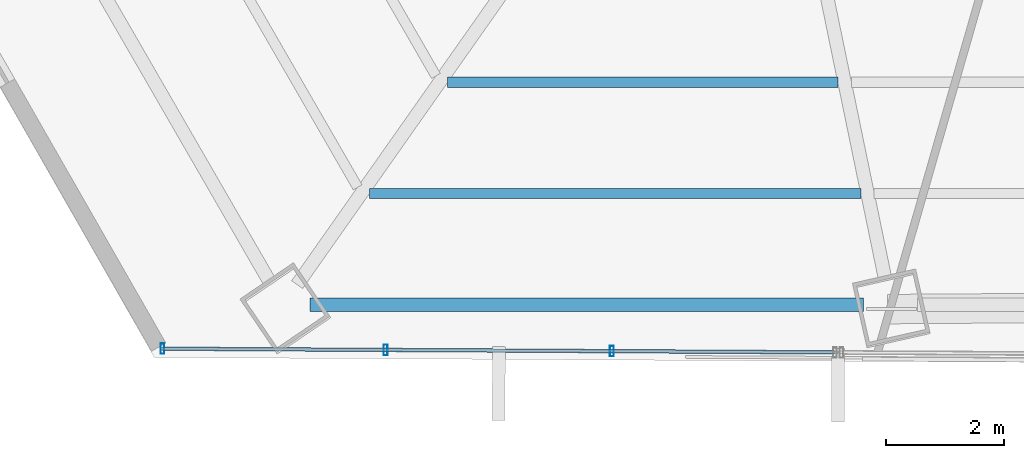
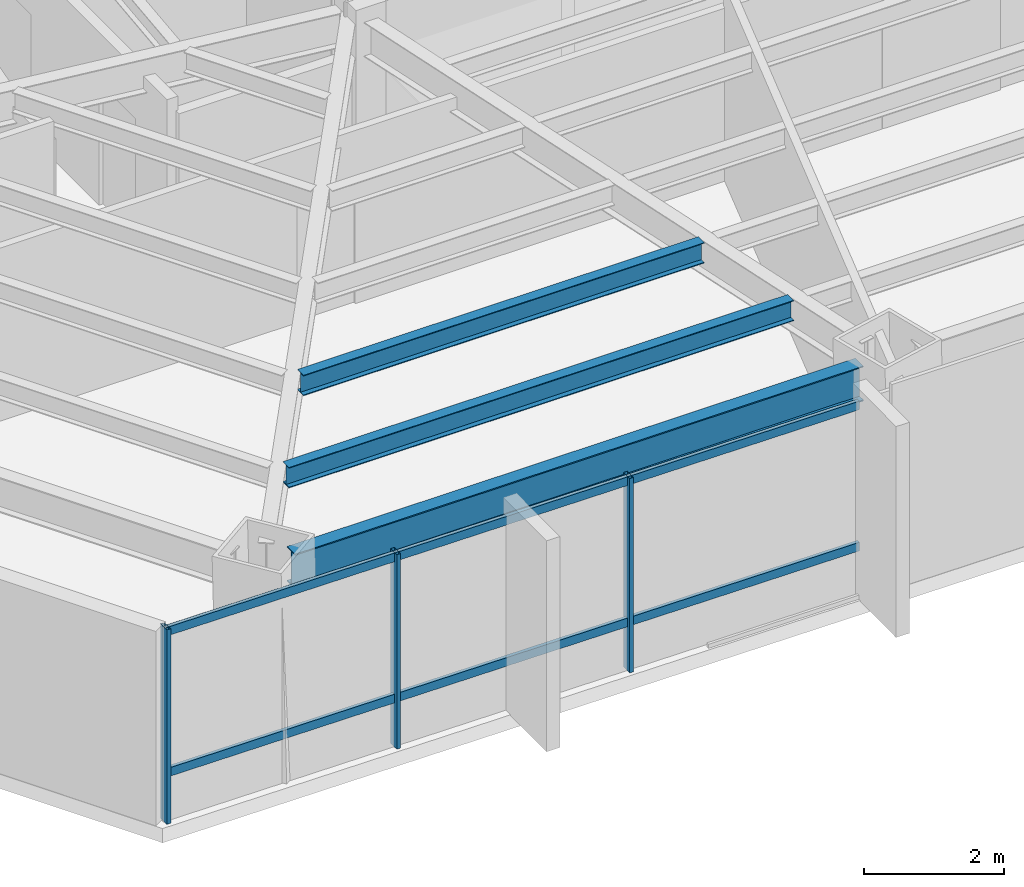
# One storey, part 4 of 35: 5 members, 3 beams, 1 element without a shape of its own.
"""IFC4 building model written with IfcOpenShell, lengths in metres."""

from ifc_helpers import new_model, si_unit, direction, frame, origin, origin_2d, place, context, subcontext, project, spatial, hollow_rectangle, i_section, extrude, source, transform, mapped, material, material_profile, profile_set, type_object, type_shapes, element, aggregate, save


model = new_model("IFC4")

# Units and contexts
model_context = context("Model", 3, precision=1e-05, world=origin(), true_north=direction((0.0, 1.0)))
body_context = subcontext(model_context, "Body", "Model", "MODEL_VIEW")
ifc_project = project(units=[si_unit("LENGTHUNIT", "METRE"), si_unit("AREAUNIT", "SQUARE_METRE"), si_unit("VOLUMEUNIT", "CUBIC_METRE"), si_unit("PLANEANGLEUNIT", "RADIAN"), si_unit("MASSUNIT", "GRAM", prefix="KILO")], contexts=[model_context])

# Site, building, storey
site_placement = place(None, origin())
site = spatial("IfcSite", under=ifc_project, at=site_placement, CompositionType="ELEMENT")
building_placement = place(site_placement, origin())
building = spatial("IfcBuilding", under=site, at=building_placement, Name="Caelisora Broadcast Tower", CompositionType="ELEMENT")
storey_placement = place(building_placement, frame((0.0, 0.0, 87.14990234375)))
storey = spatial("IfcBuildingStorey", under=building, at=storey_placement, Name="L22", CompositionType="ELEMENT", Elevation=87.14990234375)

# Beams
ifc_material_1 = material(Name="Steel Grade 350 (AS/NZS 3679.1)", Category="steel")
ifc_material_profile_1 = material_profile(ifc_material_1, i_section(OverallWidth=0.22900390625, OverallDepth=0.611572265625, WebThickness=0.011962890625, FlangeThickness=0.01953125, at=origin_2d()), Name="Steel Grade 350 (AS/NZS 3679.1)")
ifc_profile_set_1 = profile_set([ifc_material_profile_1], Name="Steel Grade 350 (AS/NZS 3679.1)")
beam_type_1 = type_object("IfcBeamType", Name="PG03", PredefinedType="BEAM", material=ifc_profile_set_1)
shared_shape_1 = source(origin(), body_context, "Body", "SweptSolid", [
    extrude(i_section(OverallWidth=0.22900390625, OverallDepth=0.611572265625, WebThickness=0.011962890625, FlangeThickness=0.01953125, at=origin_2d()), origin(), (0.0, 0.0, 1.0), 9.40234375),
])
type_shapes(beam_type_1, [shared_shape_1])
beam_1_placement = place(storey_placement, frame((22.9765625, 6.0517578125, 3.09423828125), z_axis=(1.0, 0.0, 0.0), x_axis=(0.0, 1.0, 0.0)))
element("IfcBeam", 1, at=beam_1_placement, inside=storey, type_object=beam_type_1, Name="L22 beam PG03", PredefinedType="BEAM", context=body_context, shape_type="MappedRepresentation", body=[
    mapped(shared_shape_1, transform((0.0, 0.0, 0.0), scale=1.0)),
])
ifc_material_profile_2 = material_profile(ifc_material_1, i_section(OverallWidth=0.172119140625, OverallDepth=0.358642578125, WebThickness=0.008056640625, FlangeThickness=0.012939453125, at=origin_2d()), Name="Steel Grade 350 (AS/NZS 3679.1)")
ifc_profile_set_2 = profile_set([ifc_material_profile_2], Name="Steel Grade 350 (AS/NZS 3679.1)")
beam_type_2 = type_object("IfcBeamType", Name="SB02", PredefinedType="JOIST", material=ifc_profile_set_2)
shared_shape_2 = source(origin(), body_context, "Body", "SweptSolid", [
    extrude(i_section(OverallWidth=0.172119140625, OverallDepth=0.358642578125, WebThickness=0.008056640625, FlangeThickness=0.012939453125, at=origin_2d()), origin(), (0.0, 0.0, 1.0), 6.631591796875),
])
beam_2_placement = place(storey_placement, frame((25.314208984375, 9.83447265625, 3.220703125), z_axis=(1.0, 0.0, 0.0), x_axis=(0.0, 1.0, 0.0)))
element("IfcBeam", 2, at=beam_2_placement, inside=storey, type_object=beam_type_2, Name="L22 beam SB02", PredefinedType="JOIST", context=body_context, shape_type="MappedRepresentation", body=[
    mapped(shared_shape_2, transform((0.0, 0.0, 0.0), scale=1.0)),
])
shared_shape_3 = source(origin(), body_context, "Body", "SweptSolid", [
    extrude(i_section(OverallWidth=0.172119140625, OverallDepth=0.358642578125, WebThickness=0.008056640625, FlangeThickness=0.012939453125, at=origin_2d()), origin(), (0.0, 0.0, 1.0), 8.352294921875),
])
type_shapes(beam_type_2, [shared_shape_2, shared_shape_3])
beam_3_placement = place(storey_placement, frame((23.9833984375, 7.943115234375, 3.220703125), z_axis=(1.0, 0.0, 0.0), x_axis=(0.0, 1.0, 0.0)))
element("IfcBeam", 3, at=beam_3_placement, inside=storey, type_object=beam_type_2, Name="L22 beam SB02", PredefinedType="JOIST", context=body_context, shape_type="MappedRepresentation", body=[
    mapped(shared_shape_3, transform((0.0, 0.0, 0.0), scale=1.0)),
])

# Curtain wall, members
ifc_material_2 = material(Name="Unitised Aluminium and Low-E Glass Curtain Wall", Category="glass")
curtain_wall_type = type_object("IfcCurtainWallType", Name="CW-Z2", PredefinedType="NOTDEFINED", material=ifc_material_2)
curtain_wall_placement = place(storey_placement, origin())
curtain_wall = element("IfcCurtainWall", 4, at=curtain_wall_placement, inside=storey, type_object=curtain_wall_type, Name="L22 curtain wall CW-Z2", PredefinedType="NOTDEFINED")
ifc_material_3 = material(Name="Aluminium 6063-T6 Anodised Terracotta Bronze", Category="aluminium")
ifc_material_profile_3 = material_profile(ifc_material_3, hollow_rectangle(XDim=0.06494140625, YDim=0.179931640625, WallThickness=0.00341796875, at=origin_2d()), Name="Aluminium 6063-T6 Anodised Terracotta Bronze")
ifc_profile_set_3 = profile_set([ifc_material_profile_3], Name="Aluminium 6063-T6 Anodised Terracotta Bronze")
member_type_1 = type_object("IfcMemberType", Name="CWM-02", PredefinedType="MULLION", material=ifc_profile_set_3)
shared_shape_4 = source(origin(), body_context, "Body", "SweptSolid", [
    extrude(hollow_rectangle(XDim=0.06494140625, YDim=0.179931640625, WallThickness=0.00341796875, at=origin_2d()), origin(), (0.0, 0.0, 1.0), 3.400146484375),
])
type_shapes(member_type_1, [shared_shape_4])
member_1_placement = place(storey_placement, frame((28.10400390625, 5.2646484375, 0.0), z_axis=(0.0, 0.0, 1.0), x_axis=(1.0, 0.0, 0.0)))
member_1 = element("IfcMember", 5, at=member_1_placement, type_object=member_type_1, Name="L22-CW-B07 mullion #1", PredefinedType="MULLION", context=body_context, shape_type="MappedRepresentation", body=[
    mapped(shared_shape_4, transform((0.0, 0.0, 0.0), scale=1.0)),
])
member_2_placement = place(storey_placement, frame((24.261962890625, 5.285888671875, 0.0), z_axis=(0.0, 0.0, 1.0), x_axis=(1.0, 0.0, 0.0)))
member_2 = element("IfcMember", 6, at=member_2_placement, type_object=member_type_1, Name="L22-CW-B07 mullion #2", PredefinedType="MULLION", context=body_context, shape_type="MappedRepresentation", body=[
    mapped(shared_shape_4, transform((0.0, 0.0, 0.0), scale=1.0)),
])
member_3_placement = place(storey_placement, frame((20.469970703125, 5.306640625, 0.0), z_axis=(0.0, 0.0, 1.0), x_axis=(1.0, 0.0, 0.0)))
member_3 = element("IfcMember", 7, at=member_3_placement, type_object=member_type_1, Name="L22-CW-B07 mullion #3", PredefinedType="MULLION", context=body_context, shape_type="MappedRepresentation", body=[
    mapped(shared_shape_4, transform((0.0, 0.0, 0.0), scale=1.0)),
])
ifc_material_profile_4 = material_profile(ifc_material_3, hollow_rectangle(XDim=0.06005859375, YDim=0.14990234375, WallThickness=0.00341796875, at=origin_2d()), Name="Aluminium 6063-T6 Anodised Terracotta Bronze")
ifc_profile_set_4 = profile_set([ifc_material_profile_4], Name="Aluminium 6063-T6 Anodised Terracotta Bronze")
member_type_2 = type_object("IfcMemberType", Name="CWT-02", PredefinedType="USERDEFINED", material=ifc_profile_set_4)
shared_shape_5 = source(origin(), body_context, "Body", "SweptSolid", [
    extrude(hollow_rectangle(XDim=0.06005859375, YDim=0.14990234375, WallThickness=0.00341796875, at=origin_2d()), origin(), (0.0, 0.0, 1.0), 11.42626953125),
])
type_shapes(member_type_2, [shared_shape_5])
member_4_placement = place(storey_placement, frame((31.89599609375, 5.243896484375, 0.85009765625), z_axis=(-0.999984922957, 0.005491252862, 0.0), x_axis=(-0.005491252862, -0.999984922957, 0.0)))
member_4 = element("IfcMember", 8, at=member_4_placement, type_object=member_type_2, Name="L22-CW-B07 transom #1", ObjectType="TRANSOM", PredefinedType="USERDEFINED", context=body_context, shape_type="MappedRepresentation", body=[
    mapped(shared_shape_5, transform((0.0, 0.0, 0.0), scale=1.0)),
])
member_5_placement = place(storey_placement, frame((31.89599609375, 5.243896484375, 3.320068359375), z_axis=(-0.999984922957, 0.005491252862, 0.0), x_axis=(-0.005491252862, -0.999984922957, 0.0)))
member_5 = element("IfcMember", 9, at=member_5_placement, type_object=member_type_2, Name="L22-CW-B07 transom #2", ObjectType="TRANSOM", PredefinedType="USERDEFINED", context=body_context, shape_type="MappedRepresentation", body=[
    mapped(shared_shape_5, transform((0.0, 0.0, 0.0), scale=1.0)),
])
aggregate(curtain_wall, [member_1, member_2, member_3, member_4, member_5])

save(model, "model.ifc")
